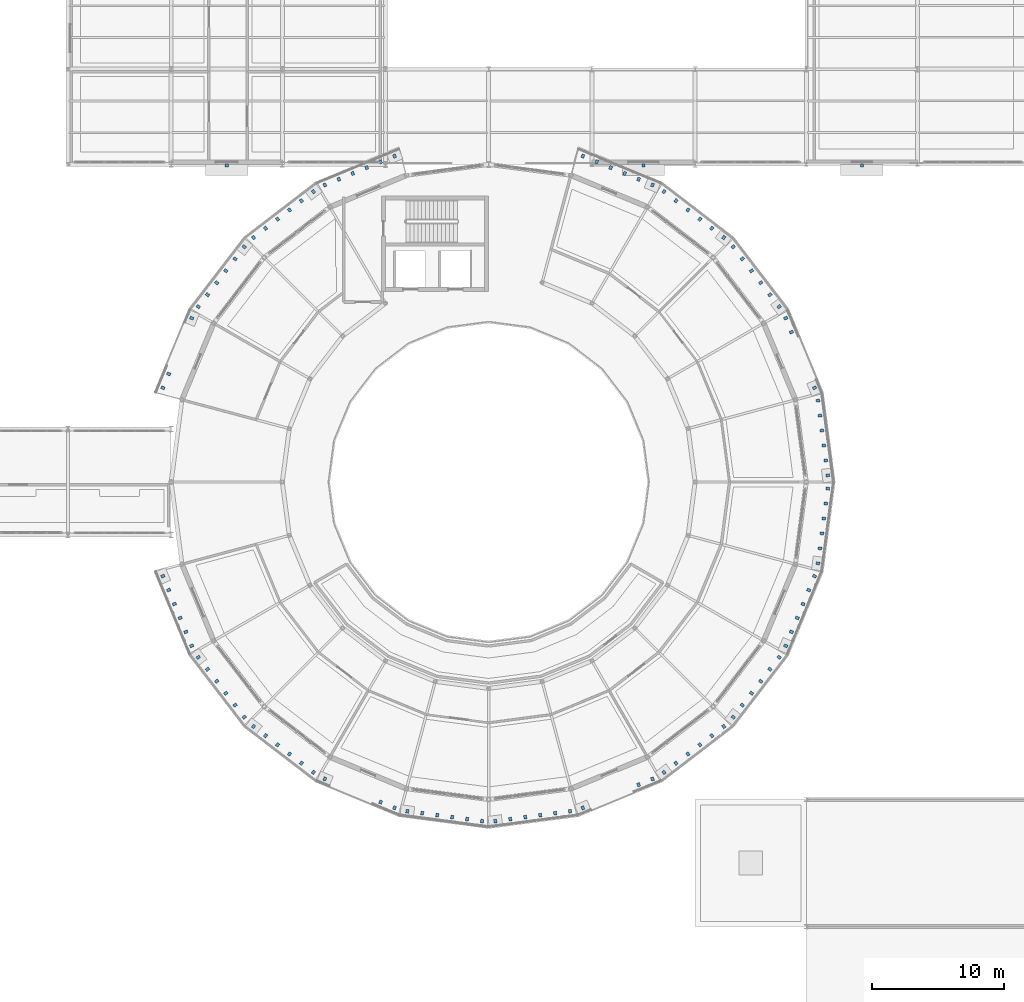
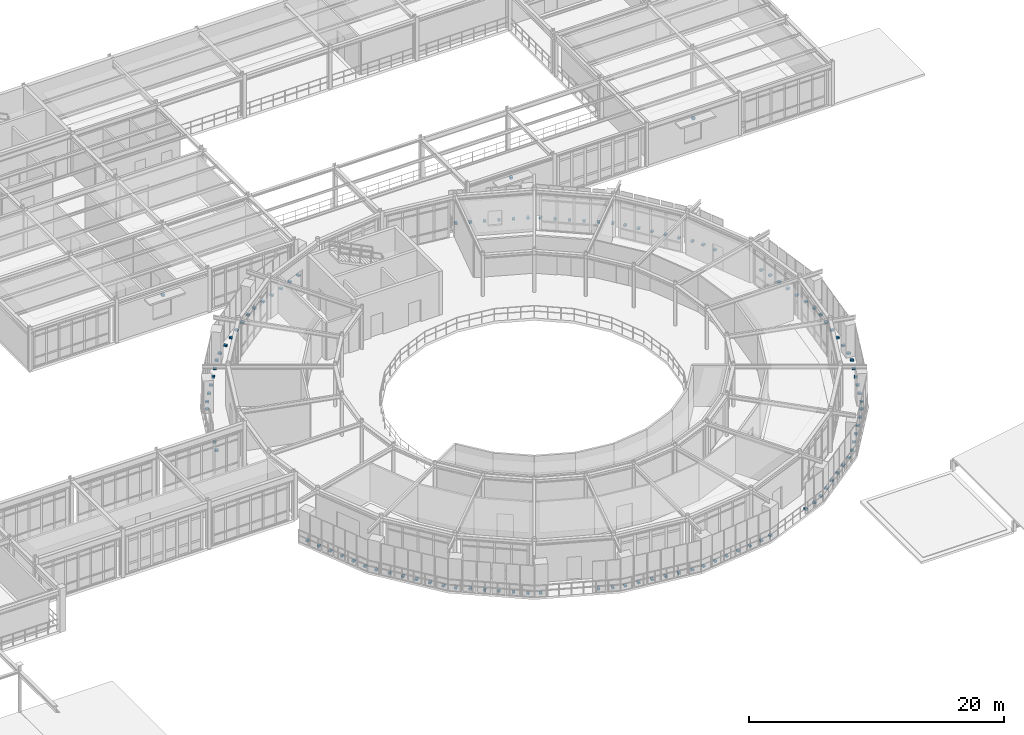
# One storey, part 80 of 90: 111 discrete accessories.
"""IFC4 building model written with IfcOpenShell, lengths in metres."""

from ifc_helpers import new_model, si_unit, derived_unit, direction, frame, origin, origin_2d, place, context, subcontext, project, spatial, rectangle, extrude, material, type_object, element, save


model = new_model("IFC4")

# Units and contexts
model_context = context("Model", 3, precision=1e-05, world=origin(), true_north=direction((0.0, 1.0)))
body_context = subcontext(model_context, "Body", "Model", "MODEL_VIEW")
ifc_project = project(units=[si_unit("LENGTHUNIT", "METRE"), si_unit("AREAUNIT", "SQUARE_METRE"), si_unit("VOLUMEUNIT", "CUBIC_METRE"), si_unit("PLANEANGLEUNIT", "RADIAN"), si_unit("MASSUNIT", "GRAM", prefix="KILO"), derived_unit("THERMALTRANSMITTANCEUNIT", [(si_unit("POWERUNIT", "WATT"), 1), (si_unit("AREAUNIT", "SQUARE_METRE"), -1), (si_unit("THERMODYNAMICTEMPERATUREUNIT", "KELVIN"), -1)])], contexts=[model_context])

# Site, building, storey
site_placement = place(None, origin())
site = spatial("IfcSite", under=ifc_project, at=site_placement, CompositionType="ELEMENT")
building_placement = place(site_placement, origin())
building = spatial("IfcBuilding", under=site, at=building_placement, Name="Yasenodar Specialist Clinic", CompositionType="ELEMENT")
storey_placement = place(building_placement, frame((0.0, 0.0, 9.0)))
storey = spatial("IfcBuildingStorey", under=building, at=storey_placement, Name="L02", CompositionType="ELEMENT", Elevation=9.0)

# Discrete accessories
ifc_material = material(Name="Steel S355", Category="steel")
discrete_accessory_type_1 = type_object("IfcDiscreteAccessoryType", Name="ACC-BRK-CHJ", PredefinedType="BRACKET", material=ifc_material)
for number, where, z_axis, x_axis, name in (
    (1, (109.199951171875, 82.719970703125, 3.0380859375), (0.0, 0.0, 1.0), (-1.0, 0.0, 0.0), "L02 Sunshade Fixing Bracket 0452"),
    (2, (92.699951171875, 82.719970703125, 3.13818359375), (0.0, 0.0, 1.0), (-1.0, 0.0, 0.0), "L02 Sunshade Fixing Bracket 0453"),
    (3, (61.199951171875, 82.719970703125, 2.93798828125), (0.0, 0.0, 1.0), (-1.0, 0.0, 0.0), "L02 Sunshade Fixing Bracket 0454"),
):
    element("IfcDiscreteAccessory", number, at=place(storey_placement, frame(where, z_axis=z_axis, x_axis=x_axis)), inside=storey, type_object=discrete_accessory_type_1, Name=name, PredefinedType="BRACKET", context=body_context, shape_type="SweptSolid", body=[
        extrude(rectangle(XDim=0.239990234375, YDim=0.260009765625, at=origin_2d()), origin(), (0.0, 0.0, 1.0), 0.199951171875),
    ])
discrete_accessory_type_2 = type_object("IfcDiscreteAccessoryType", Name="ACC-BRK-STEEL", PredefinedType="BRACKET", material=ifc_material)
for number, where, z_axis, x_axis, name in (
    (4, (106.6298828125, 59.2998046875, -0.02001953125), (0.0, 0.0, 1.0), (-0.130519185854, 0.991445783754, 0.0), "L02 Jali Shutter Base Guide Bracket 0109"),
    (5, (106.481201171875, 60.429931640625, -0.02001953125), (0.0, 0.0, 1.0), (-0.130519185854, 0.991445783754, 0.0), "L02 Jali Shutter Base Guide Bracket 0110"),
    (6, (106.332275390625, 61.560302734375, -0.02001953125), (0.0, 0.0, 1.0), (-0.130519185854, 0.991445783754, 0.0), "L02 Jali Shutter Base Guide Bracket 0111"),
    (7, (106.18359375, 62.6904296875, -0.02001953125), (0.0, 0.0, 1.0), (-0.130519185854, 0.991445783754, 0.0), "L02 Jali Shutter Base Guide Bracket 0112"),
    (8, (106.034912109375, 63.820556640625, -0.02001953125), (0.0, 0.0, 1.0), (-0.130519185854, 0.991445783754, 0.0), "L02 Jali Shutter Base Guide Bracket 0113"),
    (9, (105.885986328125, 64.95068359375, -0.02001953125), (0.0, 0.0, 1.0), (-0.130519185854, 0.991445783754, 0.0), "L02 Jali Shutter Base Guide Bracket 0114"),
    (10, (105.627197265625, 65.916259765625, -0.02001953125), (0.0, 0.0, 1.0), (-0.382686667195, 0.923878192594, 0.0), "L02 Jali Shutter Base Guide Bracket 0115"),
    (11, (103.88232421875, 70.12890625, -0.02001953125), (0.0, 0.0, 1.0), (-0.382686667195, 0.923878192594, 0.0), "L02 Jali Shutter Base Guide Bracket 0116"),
    (12, (103.446044921875, 71.18212890625, -0.02001953125), (0.0, 0.0, 1.0), (-0.382686667195, 0.923878192594, 0.0), "L02 Jali Shutter Base Guide Bracket 0117"),
    (13, (102.9462890625, 72.0478515625, -0.02001953125), (0.0, 0.0, 1.0), (-0.608764217148, 0.793351200869, 0.0), "L02 Jali Shutter Base Guide Bracket 0118"),
    (14, (102.252197265625, 72.9521484375, -0.02001953125), (0.0, 0.0, 1.0), (-0.608764217148, 0.793351200869, 0.0), "L02 Jali Shutter Base Guide Bracket 0119"),
    (15, (101.558349609375, 73.8564453125, -0.02001953125), (0.0, 0.0, 1.0), (-0.608764217148, 0.793351200869, 0.0), "L02 Jali Shutter Base Guide Bracket 0120"),
    (16, (100.864501953125, 74.760986328125, -0.02001953125), (0.0, 0.0, 1.0), (-0.608764217148, 0.793351200869, 0.0), "L02 Jali Shutter Base Guide Bracket 0121"),
    (17, (100.17041015625, 75.665283203125, -0.02001953125), (0.0, 0.0, 1.0), (-0.608764217148, 0.793351200869, 0.0), "L02 Jali Shutter Base Guide Bracket 0122"),
    (18, (99.4765625, 76.569580078125, -0.02001953125), (0.0, 0.0, 1.0), (-0.608764217148, 0.793351200869, 0.0), "L02 Jali Shutter Base Guide Bracket 0123"),
    (19, (98.76953125, 77.276611328125, -0.02001953125), (0.0, 0.0, 1.0), (-0.793351200869, 0.608764217148, 0.0), "L02 Jali Shutter Base Guide Bracket 0124"),
    (20, (97.865234375, 77.970458984375, -0.02001953125), (0.0, 0.0, 1.0), (-0.793351200869, 0.608764217148, 0.0), "L02 Jali Shutter Base Guide Bracket 0125"),
    (21, (96.9609375, 78.664306640625, -0.02001953125), (0.0, 0.0, 1.0), (-0.793351200869, 0.608764217148, 0.0), "L02 Jali Shutter Base Guide Bracket 0126"),
    (22, (96.056396484375, 79.3583984375, -0.02001953125), (0.0, 0.0, 1.0), (-0.793351200869, 0.608764217148, 0.0), "L02 Jali Shutter Base Guide Bracket 0127"),
    (23, (95.152099609375, 80.05224609375, -0.02001953125), (0.0, 0.0, 1.0), (-0.793351200869, 0.608764217148, 0.0), "L02 Jali Shutter Base Guide Bracket 0128"),
    (24, (94.247802734375, 80.74609375, -0.02001953125), (0.0, 0.0, 1.0), (-0.793351200869, 0.608764217148, 0.0), "L02 Jali Shutter Base Guide Bracket 0129"),
    (25, (93.382080078125, 81.24609375, -0.02001953125), (0.0, 0.0, 1.0), (-0.923878192594, 0.382686667195, 0.0), "L02 Jali Shutter Base Guide Bracket 0130"),
    (26, (92.328857421875, 81.682373046875, -0.02001953125), (0.0, 0.0, 1.0), (-0.923878192594, 0.382686667195, 0.0), "L02 Jali Shutter Base Guide Bracket 0131"),
    (27, (91.27587890625, 82.118408203125, -0.02001953125), (0.0, 0.0, 1.0), (-0.923878192594, 0.382686667195, 0.0), "L02 Jali Shutter Base Guide Bracket 0132"),
    (28, (90.22265625, 82.5546875, -0.02001953125), (0.0, 0.0, 1.0), (-0.923878192594, 0.382686667195, 0.0), "L02 Jali Shutter Base Guide Bracket 0133"),
    (29, (89.16943359375, 82.990966796875, -0.02001953125), (0.0, 0.0, 1.0), (-0.923878192594, 0.382686667195, 0.0), "L02 Jali Shutter Base Guide Bracket 0134"),
    (30, (88.1162109375, 83.42724609375, -0.02001953125), (0.0, 0.0, 1.0), (-0.923878192594, 0.382686667195, 0.0), "L02 Jali Shutter Base Guide Bracket 0135"),
    (31, (73.8837890625, 83.42724609375, -0.02001953125), (0.0, 0.0, 1.0), (-0.923878192594, -0.382686667195, 0.0), "L02 Jali Shutter Base Guide Bracket 0136"),
    (32, (72.83056640625, 82.990966796875, -0.02001953125), (0.0, 0.0, 1.0), (-0.923878192594, -0.382686667195, 0.0), "L02 Jali Shutter Base Guide Bracket 0137"),
    (33, (71.77734375, 82.5546875, -0.02001953125), (0.0, 0.0, 1.0), (-0.923878192594, -0.382686667195, 0.0), "L02 Jali Shutter Base Guide Bracket 0138"),
    (34, (70.72412109375, 82.118408203125, -0.02001953125), (0.0, 0.0, 1.0), (-0.923878192594, -0.382686667195, 0.0), "L02 Jali Shutter Base Guide Bracket 0139"),
    (35, (69.671142578125, 81.682373046875, -0.02001953125), (0.0, 0.0, 1.0), (-0.923878192594, -0.382686667195, 0.0), "L02 Jali Shutter Base Guide Bracket 0140"),
    (36, (68.617919921875, 81.24609375, -0.02001953125), (0.0, 0.0, 1.0), (-0.923878192594, -0.382686667195, 0.0), "L02 Jali Shutter Base Guide Bracket 0141"),
    (37, (67.752197265625, 80.74609375, -0.02001953125), (0.0, 0.0, 1.0), (-0.793351200869, -0.608764217148, 0.0), "L02 Jali Shutter Base Guide Bracket 0142"),
    (38, (66.847900390625, 80.05224609375, -0.02001953125), (0.0, 0.0, 1.0), (-0.793351200869, -0.608764217148, 0.0), "L02 Jali Shutter Base Guide Bracket 0143"),
    (39, (65.943603515625, 79.3583984375, -0.02001953125), (0.0, 0.0, 1.0), (-0.793351200869, -0.608764217148, 0.0), "L02 Jali Shutter Base Guide Bracket 0144"),
    (40, (65.0390625, 78.664306640625, -0.02001953125), (0.0, 0.0, 1.0), (-0.793351200869, -0.608764217148, 0.0), "L02 Jali Shutter Base Guide Bracket 0145"),
    (41, (64.134765625, 77.970458984375, -0.02001953125), (0.0, 0.0, 1.0), (-0.793351200869, -0.608764217148, 0.0), "L02 Jali Shutter Base Guide Bracket 0146"),
    (42, (63.23046875, 77.276611328125, -0.02001953125), (0.0, 0.0, 1.0), (-0.793351200869, -0.608764217148, 0.0), "L02 Jali Shutter Base Guide Bracket 0147"),
    (43, (62.5234375, 76.569580078125, -0.02001953125), (0.0, 0.0, 1.0), (-0.608764217148, -0.793351200869, 0.0), "L02 Jali Shutter Base Guide Bracket 0148"),
    (44, (61.82958984375, 75.665283203125, -0.02001953125), (0.0, 0.0, 1.0), (-0.608764217148, -0.793351200869, 0.0), "L02 Jali Shutter Base Guide Bracket 0149"),
    (45, (61.135498046875, 74.760986328125, -0.02001953125), (0.0, 0.0, 1.0), (-0.608764217148, -0.793351200869, 0.0), "L02 Jali Shutter Base Guide Bracket 0150"),
    (46, (60.441650390625, 73.8564453125, -0.02001953125), (0.0, 0.0, 1.0), (-0.608764217148, -0.793351200869, 0.0), "L02 Jali Shutter Base Guide Bracket 0151"),
    (47, (59.747802734375, 72.9521484375, -0.02001953125), (0.0, 0.0, 1.0), (-0.608764217148, -0.793351200869, 0.0), "L02 Jali Shutter Base Guide Bracket 0152"),
    (48, (59.0537109375, 72.0478515625, -0.02001953125), (0.0, 0.0, 1.0), (-0.608764217148, -0.793351200869, 0.0), "L02 Jali Shutter Base Guide Bracket 0153"),
    (49, (58.553955078125, 71.18212890625, -0.02001953125), (0.0, 0.0, 1.0), (-0.382686667195, -0.923878192594, 0.0), "L02 Jali Shutter Base Guide Bracket 0154"),
    (50, (56.80908203125, 66.969482421875, -0.02001953125), (0.0, 0.0, 1.0), (-0.382686667195, -0.923878192594, 0.0), "L02 Jali Shutter Base Guide Bracket 0155"),
    (51, (56.372802734375, 65.916259765625, -0.02001953125), (0.0, 0.0, 1.0), (-0.382686667195, -0.923878192594, 0.0), "L02 Jali Shutter Base Guide Bracket 0156"),
    (52, (56.372802734375, 51.68359375, -0.02001953125), (0.0, 0.0, 1.0), (0.382686667195, -0.923878192594, 0.0), "L02 Jali Shutter Base Guide Bracket 0157"),
    (53, (56.80908203125, 50.630615234375, -0.02001953125), (0.0, 0.0, 1.0), (0.382686667195, -0.923878192594, 0.0), "L02 Jali Shutter Base Guide Bracket 0158"),
    (54, (57.2451171875, 49.577392578125, -0.02001953125), (0.0, 0.0, 1.0), (0.382686667195, -0.923878192594, 0.0), "L02 Jali Shutter Base Guide Bracket 0159"),
    (55, (57.681396484375, 48.524169921875, -0.02001953125), (0.0, 0.0, 1.0), (0.382686667195, -0.923878192594, 0.0), "L02 Jali Shutter Base Guide Bracket 0160"),
    (56, (58.11767578125, 47.47119140625, -0.02001953125), (0.0, 0.0, 1.0), (0.382686667195, -0.923878192594, 0.0), "L02 Jali Shutter Base Guide Bracket 0161"),
    (57, (58.553955078125, 46.41796875, -0.02001953125), (0.0, 0.0, 1.0), (0.382686667195, -0.923878192594, 0.0), "L02 Jali Shutter Base Guide Bracket 0162"),
    (58, (59.0537109375, 45.55224609375, -0.02001953125), (0.0, 0.0, 1.0), (0.608764217148, -0.793351200869, 0.0), "L02 Jali Shutter Base Guide Bracket 0163"),
    (59, (59.747802734375, 44.647705078125, -0.02001953125), (0.0, 0.0, 1.0), (0.608764217148, -0.793351200869, 0.0), "L02 Jali Shutter Base Guide Bracket 0164"),
    (60, (60.441650390625, 43.743408203125, -0.02001953125), (0.0, 0.0, 1.0), (0.608764217148, -0.793351200869, 0.0), "L02 Jali Shutter Base Guide Bracket 0165"),
    (61, (61.135498046875, 42.839111328125, -0.02001953125), (0.0, 0.0, 1.0), (0.608764217148, -0.793351200869, 0.0), "L02 Jali Shutter Base Guide Bracket 0166"),
    (62, (61.82958984375, 41.934814453125, -0.02001953125), (0.0, 0.0, 1.0), (0.608764217148, -0.793351200869, 0.0), "L02 Jali Shutter Base Guide Bracket 0167"),
    (63, (62.5234375, 41.030517578125, -0.02001953125), (0.0, 0.0, 1.0), (0.608764217148, -0.793351200869, 0.0), "L02 Jali Shutter Base Guide Bracket 0168"),
    (64, (63.23046875, 40.323486328125, -0.02001953125), (0.0, 0.0, 1.0), (0.793351200869, -0.608764217148, 0.0), "L02 Jali Shutter Base Guide Bracket 0169"),
    (65, (64.134765625, 39.629638671875, -0.02001953125), (0.0, 0.0, 1.0), (0.793351200869, -0.608764217148, 0.0), "L02 Jali Shutter Base Guide Bracket 0170"),
    (66, (65.0390625, 38.935546875, -0.02001953125), (0.0, 0.0, 1.0), (0.793351200869, -0.608764217148, 0.0), "L02 Jali Shutter Base Guide Bracket 0171"),
    (67, (65.943603515625, 38.24169921875, -0.02001953125), (0.0, 0.0, 1.0), (0.793351200869, -0.608764217148, 0.0), "L02 Jali Shutter Base Guide Bracket 0172"),
    (68, (66.847900390625, 37.547607421875, -0.02001953125), (0.0, 0.0, 1.0), (0.793351200869, -0.608764217148, 0.0), "L02 Jali Shutter Base Guide Bracket 0173"),
    (69, (67.752197265625, 36.853759765625, -0.02001953125), (0.0, 0.0, 1.0), (0.793351200869, -0.608764217148, 0.0), "L02 Jali Shutter Base Guide Bracket 0174"),
    (70, (68.617919921875, 36.35400390625, -0.02001953125), (0.0, 0.0, 1.0), (0.923878192594, -0.382686667195, 0.0), "L02 Jali Shutter Base Guide Bracket 0175"),
    (71, (72.83056640625, 34.60888671875, -0.02001953125), (0.0, 0.0, 1.0), (0.923878192594, -0.382686667195, 0.0), "L02 Jali Shutter Base Guide Bracket 0176"),
    (72, (73.8837890625, 34.1728515625, -0.02001953125), (0.0, 0.0, 1.0), (0.923878192594, -0.382686667195, 0.0), "L02 Jali Shutter Base Guide Bracket 0177"),
    (73, (74.849365234375, 33.9140625, -0.02001953125), (0.0, 0.0, 1.0), (0.991445783754, -0.130519185854, 0.0), "L02 Jali Shutter Base Guide Bracket 0178"),
    (74, (75.9794921875, 33.76513671875, -0.02001953125), (0.0, 0.0, 1.0), (0.991445783754, -0.130519185854, 0.0), "L02 Jali Shutter Base Guide Bracket 0179"),
    (75, (77.109619140625, 33.616455078125, -0.02001953125), (0.0, 0.0, 1.0), (0.991445783754, -0.130519185854, 0.0), "L02 Jali Shutter Base Guide Bracket 0180"),
    (76, (78.23974609375, 33.4677734375, -0.02001953125), (0.0, 0.0, 1.0), (0.991445783754, -0.130519185854, 0.0), "L02 Jali Shutter Base Guide Bracket 0181"),
    (77, (79.3701171875, 33.31884765625, -0.02001953125), (0.0, 0.0, 1.0), (0.991445783754, -0.130519185854, 0.0), "L02 Jali Shutter Base Guide Bracket 0182"),
    (78, (80.500244140625, 33.170166015625, -0.02001953125), (0.0, 0.0, 1.0), (0.991445783754, -0.130519185854, 0.0), "L02 Jali Shutter Base Guide Bracket 0183"),
    (79, (81.499755859375, 33.170166015625, -0.02001953125), (0.0, 0.0, 1.0), (0.991445783754, 0.130519185854, 0.0), "L02 Jali Shutter Base Guide Bracket 0184"),
    (80, (82.6298828125, 33.31884765625, -0.02001953125), (0.0, 0.0, 1.0), (0.991445783754, 0.130519185854, 0.0), "L02 Jali Shutter Base Guide Bracket 0185"),
    (81, (83.76025390625, 33.4677734375, -0.02001953125), (0.0, 0.0, 1.0), (0.991445783754, 0.130519185854, 0.0), "L02 Jali Shutter Base Guide Bracket 0186"),
    (82, (84.890380859375, 33.616455078125, -0.02001953125), (0.0, 0.0, 1.0), (0.991445783754, 0.130519185854, 0.0), "L02 Jali Shutter Base Guide Bracket 0187"),
    (83, (86.0205078125, 33.76513671875, -0.02001953125), (0.0, 0.0, 1.0), (0.991445783754, 0.130519185854, 0.0), "L02 Jali Shutter Base Guide Bracket 0188"),
    (84, (87.150634765625, 33.9140625, -0.02001953125), (0.0, 0.0, 1.0), (0.991445783754, 0.130519185854, 0.0), "L02 Jali Shutter Base Guide Bracket 0189"),
    (85, (88.1162109375, 34.1728515625, -0.02001953125), (0.0, 0.0, 1.0), (0.923878192594, 0.382686667195, 0.0), "L02 Jali Shutter Base Guide Bracket 0190"),
    (86, (92.328857421875, 35.917724609375, -0.02001953125), (0.0, 0.0, 1.0), (0.923878192594, 0.382686667195, 0.0), "L02 Jali Shutter Base Guide Bracket 0191"),
    (87, (93.382080078125, 36.35400390625, -0.02001953125), (0.0, 0.0, 1.0), (0.923878192594, 0.382686667195, 0.0), "L02 Jali Shutter Base Guide Bracket 0192"),
    (88, (94.247802734375, 36.853759765625, -0.02001953125), (0.0, 0.0, 1.0), (0.793351200869, 0.608764217148, 0.0), "L02 Jali Shutter Base Guide Bracket 0193"),
    (89, (95.152099609375, 37.547607421875, -0.02001953125), (0.0, 0.0, 1.0), (0.793351200869, 0.608764217148, 0.0), "L02 Jali Shutter Base Guide Bracket 0194"),
    (90, (96.056396484375, 38.24169921875, -0.02001953125), (0.0, 0.0, 1.0), (0.793351200869, 0.608764217148, 0.0), "L02 Jali Shutter Base Guide Bracket 0195"),
    (91, (96.9609375, 38.935546875, -0.02001953125), (0.0, 0.0, 1.0), (0.793351200869, 0.608764217148, 0.0), "L02 Jali Shutter Base Guide Bracket 0196"),
    (92, (97.865234375, 39.629638671875, -0.02001953125), (0.0, 0.0, 1.0), (0.793351200869, 0.608764217148, 0.0), "L02 Jali Shutter Base Guide Bracket 0197"),
    (93, (98.76953125, 40.323486328125, -0.02001953125), (0.0, 0.0, 1.0), (0.793351200869, 0.608764217148, 0.0), "L02 Jali Shutter Base Guide Bracket 0198"),
    (94, (99.4765625, 41.030517578125, -0.02001953125), (0.0, 0.0, 1.0), (0.608764217148, 0.793351200869, 0.0), "L02 Jali Shutter Base Guide Bracket 0199"),
    (95, (100.17041015625, 41.934814453125, -0.02001953125), (0.0, 0.0, 1.0), (0.608764217148, 0.793351200869, 0.0), "L02 Jali Shutter Base Guide Bracket 0200"),
    (96, (100.864501953125, 42.839111328125, -0.02001953125), (0.0, 0.0, 1.0), (0.608764217148, 0.793351200869, 0.0), "L02 Jali Shutter Base Guide Bracket 0201"),
    (97, (101.558349609375, 43.743408203125, -0.02001953125), (0.0, 0.0, 1.0), (0.608764217148, 0.793351200869, 0.0), "L02 Jali Shutter Base Guide Bracket 0202"),
    (98, (102.252197265625, 44.647705078125, -0.02001953125), (0.0, 0.0, 1.0), (0.608764217148, 0.793351200869, 0.0), "L02 Jali Shutter Base Guide Bracket 0203"),
    (99, (102.9462890625, 45.55224609375, -0.02001953125), (0.0, 0.0, 1.0), (0.608764217148, 0.793351200869, 0.0), "L02 Jali Shutter Base Guide Bracket 0204"),
    (100, (103.446044921875, 46.41796875, -0.02001953125), (0.0, 0.0, 1.0), (0.382686667195, 0.923878192594, 0.0), "L02 Jali Shutter Base Guide Bracket 0205"),
    (101, (103.88232421875, 47.47119140625, -0.02001953125), (0.0, 0.0, 1.0), (0.382686667195, 0.923878192594, 0.0), "L02 Jali Shutter Base Guide Bracket 0206"),
    (102, (104.318603515625, 48.524169921875, -0.02001953125), (0.0, 0.0, 1.0), (0.382686667195, 0.923878192594, 0.0), "L02 Jali Shutter Base Guide Bracket 0207"),
    (103, (104.7548828125, 49.577392578125, -0.02001953125), (0.0, 0.0, 1.0), (0.382686667195, 0.923878192594, 0.0), "L02 Jali Shutter Base Guide Bracket 0208"),
    (104, (105.19091796875, 50.630615234375, -0.02001953125), (0.0, 0.0, 1.0), (0.382686667195, 0.923878192594, 0.0), "L02 Jali Shutter Base Guide Bracket 0209"),
    (105, (105.627197265625, 51.68359375, -0.02001953125), (0.0, 0.0, 1.0), (0.382686667195, 0.923878192594, 0.0), "L02 Jali Shutter Base Guide Bracket 0210"),
    (106, (105.885986328125, 52.6494140625, -0.02001953125), (0.0, 0.0, 1.0), (0.130519185854, 0.991445783754, 0.0), "L02 Jali Shutter Base Guide Bracket 0211"),
    (107, (106.034912109375, 53.779296875, -0.02001953125), (0.0, 0.0, 1.0), (0.130519185854, 0.991445783754, 0.0), "L02 Jali Shutter Base Guide Bracket 0212"),
    (108, (106.18359375, 54.90966796875, -0.02001953125), (0.0, 0.0, 1.0), (0.130519185854, 0.991445783754, 0.0), "L02 Jali Shutter Base Guide Bracket 0213"),
    (109, (106.332275390625, 56.039794921875, -0.02001953125), (0.0, 0.0, 1.0), (0.130519185854, 0.991445783754, 0.0), "L02 Jali Shutter Base Guide Bracket 0214"),
    (110, (106.481201171875, 57.169921875, -0.02001953125), (0.0, 0.0, 1.0), (0.130519185854, 0.991445783754, 0.0), "L02 Jali Shutter Base Guide Bracket 0215"),
    (111, (106.6298828125, 58.30029296875, -0.02001953125), (0.0, 0.0, 1.0), (0.130519185854, 0.991445783754, 0.0), "L02 Jali Shutter Base Guide Bracket 0216"),
):
    element("IfcDiscreteAccessory", number, at=place(storey_placement, frame(where, z_axis=z_axis, x_axis=x_axis)), inside=storey, type_object=discrete_accessory_type_2, Name=name, PredefinedType="BRACKET", context=body_context, shape_type="SweptSolid", body=[
        extrude(rectangle(XDim=0.219970703125, YDim=0.280029296875, at=origin_2d()), origin(), (0.0, 0.0, 1.0), 0.159912109375),
    ])

save(model, "model.ifc")
